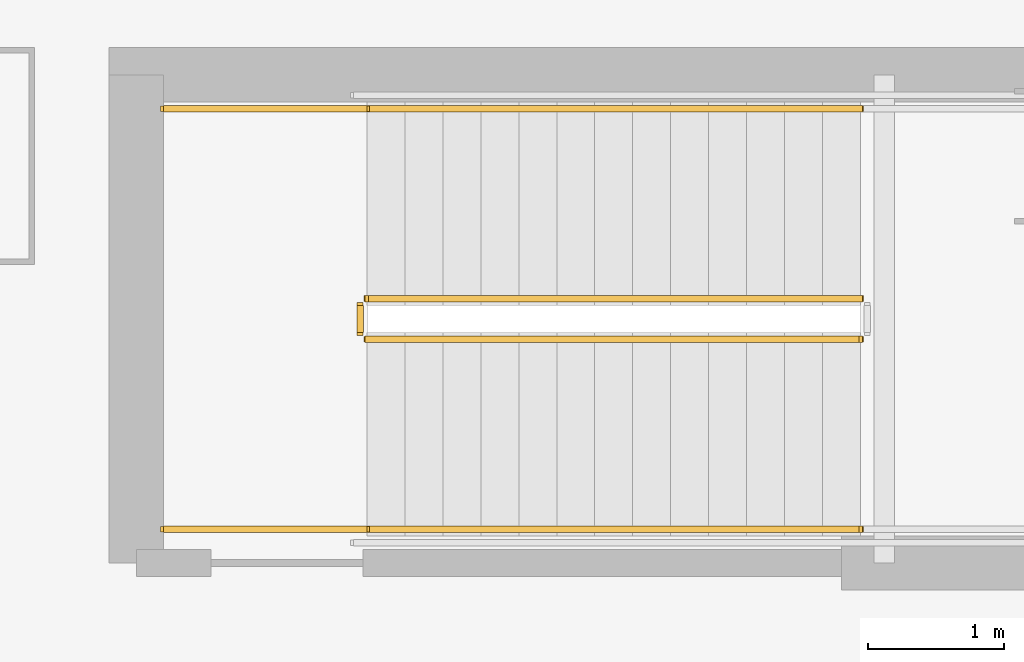
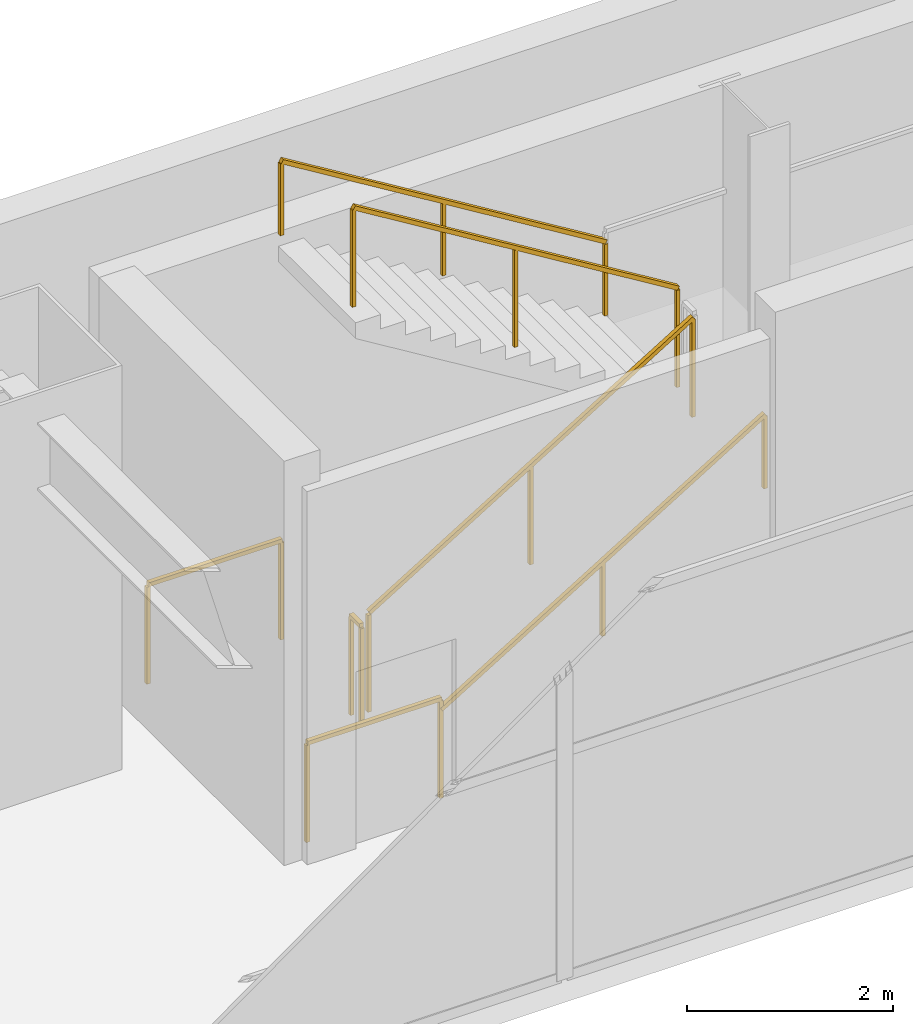
# One storey, part 30 of 35: 7 railings.
"""IFC4 building model written with IfcOpenShell, lengths in metres."""

from ifc_helpers import new_model, si_unit, direction, frame, origin, origin_2d, place, context, subcontext, project, spatial, rectangle, extrude, material, type_object, element, save


model = new_model("IFC4")

# Units and contexts
model_context = context("Model", 3, precision=1e-05, world=origin(), true_north=direction((0.0, 1.0)))
body_context = subcontext(model_context, "Body", "Model", "MODEL_VIEW")
ifc_project = project(units=[si_unit("LENGTHUNIT", "METRE"), si_unit("AREAUNIT", "SQUARE_METRE"), si_unit("VOLUMEUNIT", "CUBIC_METRE"), si_unit("PLANEANGLEUNIT", "RADIAN"), si_unit("MASSUNIT", "GRAM", prefix="KILO")], contexts=[model_context])

# Site, building, storey
site_placement = place(None, origin())
site = spatial("IfcSite", under=ifc_project, at=site_placement, CompositionType="ELEMENT")
building_placement = place(site_placement, origin())
building = spatial("IfcBuilding", under=site, at=building_placement, Name="Haevon Station Towers", CompositionType="ELEMENT")
storey_placement = place(building_placement, frame((0.0, 0.0, 20.39990234375)))
storey = spatial("IfcBuildingStorey", under=building, at=storey_placement, Name="L04", CompositionType="ELEMENT", Elevation=20.39990234375)

# Railings
ifc_material = material(Name="Steel S355", Category="steel")
railing_type_1 = type_object("IfcRailingType", Name="GRD-STR1200", PredefinedType="GUARDRAIL", material=ifc_material)
railing_1_placement = place(storey_placement, frame((68.0, 46.64990234375, 0.171630859375)))
element("IfcRailing", 1, at=railing_1_placement, inside=storey, type_object=railing_type_1, Name="L04 ST6 Stair Guard 1", PredefinedType="GUARDRAIL", context=body_context, shape_type="SweptSolid", body=[
    extrude(rectangle(XDim=0.048095703125, YDim=0.048095703125, at=origin_2d()), frame((0.0, 0.0, 1.17578125), z_axis=(0.852850264322, 0.0, 0.5221555579), x_axis=(0.0, 1.0, 0.0)), (0.0, 0.0, 1.0), 4.267822265625),
    extrude(rectangle(XDim=0.0419921875, YDim=0.0419921875, at=origin_2d()), origin(), (0.0, 0.0, 1.0), 1.15185546875),
    extrude(rectangle(XDim=0.0419921875, YDim=0.0419921875, at=origin_2d()), frame((1.81982421875, 0.0, 1.1142578125)), (0.0, 0.0, 1.0), 1.15185546875),
    extrude(rectangle(XDim=0.0419921875, YDim=0.0419921875, at=origin_2d()), frame((3.639892578125, 0.0, 2.228515625)), (0.0, 0.0, 1.0), 1.15185546875),
])
railing_2_placement = place(storey_placement, frame((71.639892578125, 46.949951171875, 2.571533203125)))
element("IfcRailing", 2, at=railing_2_placement, inside=storey, type_object=railing_type_1, Name="L04 ST6 Stair Guard 6", PredefinedType="GUARDRAIL", context=body_context, shape_type="SweptSolid", body=[
    extrude(rectangle(XDim=0.048095703125, YDim=0.048095703125, at=origin_2d()), frame((0.0, 0.0, 1.17578125), z_axis=(-0.852850264322, 0.0, 0.5221555579), x_axis=(0.0, -1.0, 0.0)), (0.0, 0.0, 1.0), 4.267822265625),
    extrude(rectangle(XDim=0.0419921875, YDim=0.0419921875, at=origin_2d()), origin(), (0.0, 0.0, 1.0), 1.15185546875),
    extrude(rectangle(XDim=0.0419921875, YDim=0.0419921875, at=origin_2d()), frame((-1.81982421875, 0.0, 1.1142578125)), (0.0, 0.0, 1.0), 1.15185546875),
    extrude(rectangle(XDim=0.0419921875, YDim=0.0419921875, at=origin_2d()), frame((-3.639892578125, 0.0, 2.228515625)), (0.0, 0.0, 1.0), 1.15185546875),
])
railing_3_placement = place(storey_placement, frame((67.949951171875, 46.699951171875, 0.0)))
element("IfcRailing", 3, at=railing_3_placement, inside=storey, type_object=railing_type_1, Name="L04 ST6 Stair Guard 7", PredefinedType="GUARDRAIL", context=body_context, shape_type="SweptSolid", body=[
    extrude(rectangle(XDim=0.048095703125, YDim=0.048095703125, at=origin_2d()), frame((0.0, 0.0, 1.17578125), z_axis=(0.0, 1.0, 0.0), x_axis=(-1.0, 0.0, 0.0)), (0.0, 0.0, 1.0), 0.199951171875),
    extrude(rectangle(XDim=0.0419921875, YDim=0.0419921875, at=origin_2d()), origin(), (0.0, 0.0, 1.0), 1.15185546875),
    extrude(rectangle(XDim=0.0419921875, YDim=0.0419921875, at=origin_2d()), frame((0.0, 0.199951171875, 0.0)), (0.0, 0.0, 1.0), 1.15185546875),
])
for number, where, name in (
    (4, (66.5, 45.25, 0.0), "L04 ST6 Stair Guard 8"),
    (5, (66.5, 48.35009765625, 0.0), "L04 ST6 Stair Guard 9"),
):
    element("IfcRailing", number, at=place(storey_placement, frame(where)), inside=storey, type_object=railing_type_1, Name=name, PredefinedType="GUARDRAIL", context=body_context, shape_type="SweptSolid", body=[
        extrude(rectangle(XDim=0.048095703125, YDim=0.048095703125, at=origin_2d()), frame((0.0, 0.0, 1.17578125), z_axis=(1.0, 0.0, 0.0), x_axis=(0.0, 1.0, 0.0)), (0.0, 0.0, 1.0), 1.5),
        extrude(rectangle(XDim=0.0419921875, YDim=0.0419921875, at=origin_2d()), origin(), (0.0, 0.0, 1.0), 1.15185546875),
        extrude(rectangle(XDim=0.0419921875, YDim=0.0419921875, at=origin_2d()), frame((1.5, 0.0, 0.0)), (0.0, 0.0, 1.0), 1.15185546875),
    ])
railing_type_2 = type_object("IfcRailingType", Name="HND-STR900", PredefinedType="HANDRAIL", material=ifc_material)
railing_4_placement = place(storey_placement, frame((68.0, 45.25, 0.171630859375)))
element("IfcRailing", 6, at=railing_4_placement, inside=storey, type_object=railing_type_2, Name="L04 ST6 Stair Handrail 1", PredefinedType="HANDRAIL", context=body_context, shape_type="SweptSolid", body=[
    extrude(rectangle(XDim=0.048095703125, YDim=0.048095703125, at=origin_2d()), frame((0.0, 0.0, 0.8759765625), z_axis=(0.852850264322, 0.0, 0.5221555579), x_axis=(0.0, 1.0, 0.0)), (0.0, 0.0, 1.0), 4.267822265625),
    extrude(rectangle(XDim=0.0419921875, YDim=0.0419921875, at=origin_2d()), origin(), (0.0, 0.0, 1.0), 0.851806640625),
    extrude(rectangle(XDim=0.0419921875, YDim=0.0419921875, at=origin_2d()), frame((1.81982421875, 0.0, 1.1142578125)), (0.0, 0.0, 1.0), 0.851806640625),
    extrude(rectangle(XDim=0.0419921875, YDim=0.0419921875, at=origin_2d()), frame((3.639892578125, 0.0, 2.228515625)), (0.0, 0.0, 1.0), 0.851806640625),
])
railing_5_placement = place(storey_placement, frame((71.639892578125, 48.35009765625, 2.571533203125)))
element("IfcRailing", 7, at=railing_5_placement, inside=storey, type_object=railing_type_2, Name="L04 ST6 Stair Handrail 2", PredefinedType="HANDRAIL", context=body_context, shape_type="SweptSolid", body=[
    extrude(rectangle(XDim=0.048095703125, YDim=0.048095703125, at=origin_2d()), frame((0.0, 0.0, 0.8759765625), z_axis=(-0.852850264322, 0.0, 0.5221555579), x_axis=(0.0, -1.0, 0.0)), (0.0, 0.0, 1.0), 4.267822265625),
    extrude(rectangle(XDim=0.0419921875, YDim=0.0419921875, at=origin_2d()), origin(), (0.0, 0.0, 1.0), 0.851806640625),
    extrude(rectangle(XDim=0.0419921875, YDim=0.0419921875, at=origin_2d()), frame((-1.81982421875, 0.0, 1.1142578125)), (0.0, 0.0, 1.0), 0.851806640625),
    extrude(rectangle(XDim=0.0419921875, YDim=0.0419921875, at=origin_2d()), frame((-3.639892578125, 0.0, 2.228515625)), (0.0, 0.0, 1.0), 0.851806640625),
])

save(model, "model.ifc")
